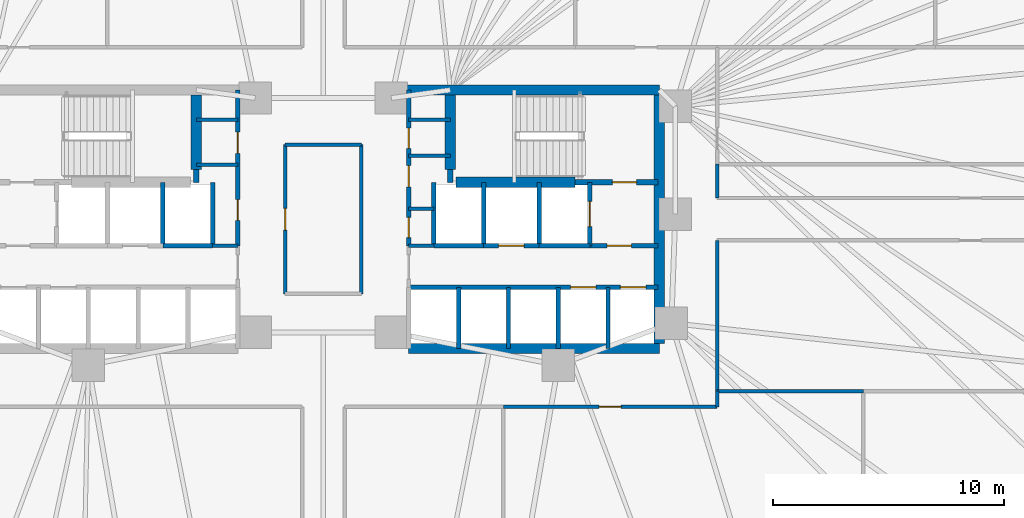
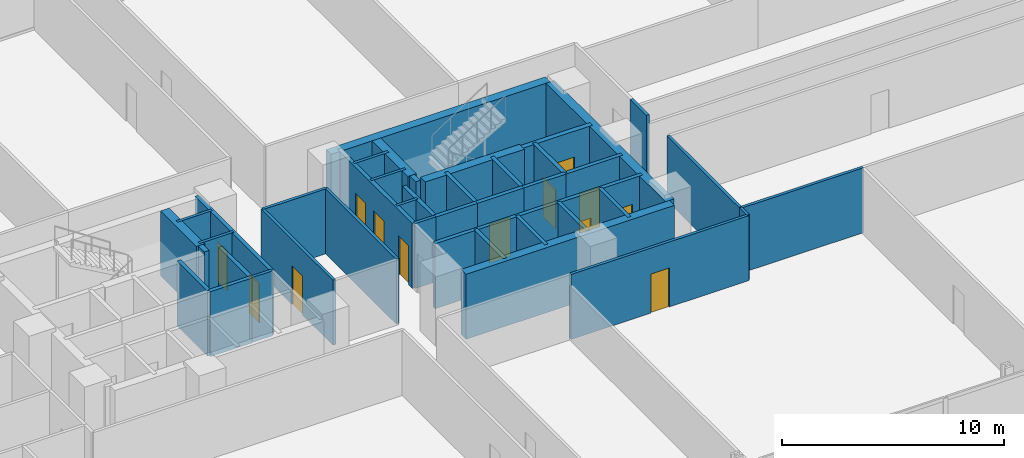
# One storey, part 13 of 17: 42 walls, 13 doors, 13 openings.
"""IFC4 building model written with IfcOpenShell, lengths in metres."""

from ifc_helpers import new_model, si_unit, direction, frame, frame_2d, origin, place, context, subcontext, project, spatial, rectangle, extrude, material, layer, layer_set, type_object, element, fill, save


model = new_model("IFC4")

# Units and contexts
model_context = context("Model", 3, precision=1e-05, world=origin(), true_north=direction((0.0, 1.0)))
body_context = subcontext(model_context, "Body", "Model", "MODEL_VIEW")
ifc_project = project(units=[si_unit("LENGTHUNIT", "METRE"), si_unit("AREAUNIT", "SQUARE_METRE"), si_unit("VOLUMEUNIT", "CUBIC_METRE"), si_unit("PLANEANGLEUNIT", "RADIAN"), si_unit("MASSUNIT", "GRAM", prefix="KILO")], contexts=[model_context])

# Site, building, storey
site_placement = place(None, origin())
site = spatial("IfcSite", under=ifc_project, at=site_placement, CompositionType="ELEMENT")
building_placement = place(site_placement, origin())
building = spatial("IfcBuilding", under=site, at=building_placement, Name="Menara Jurai Vektor", CompositionType="ELEMENT")
storey_placement = place(building_placement, frame((0.0, 0.0, 48.39990234375)))
storey = spatial("IfcBuildingStorey", under=building, at=storey_placement, Name="L11", CompositionType="ELEMENT", Elevation=48.39990234375)

# Wall
ifc_material_1 = material(Name="Concrete C40/50", Category="concrete")
ifc_layer_1 = layer(ifc_material_1, 0.25)
ifc_layer_set_1 = layer_set([ifc_layer_1], Name="Concrete C40/50")
wall_type_1 = type_object("IfcWallType", Name="INT-WALL-CORE-250", PredefinedType="STANDARD", material=ifc_layer_set_1)
wall_1_placement = place(storey_placement, frame((-5.5, 1.60009765625, 0.0), z_axis=(0.0, 0.0, 1.0), x_axis=(0.0, 1.0, 0.0)))
element("IfcWall", 1, at=wall_1_placement, inside=storey, type_object=wall_type_1, Name="Interior Wall IW-250 L11", PredefinedType="STANDARD", context=body_context, shape_type="SweptSolid", body=[
    extrude(rectangle(XDim=0.5498046875, YDim=0.25, at=frame_2d((0.27490234375, 0.0))), origin(), (0.0, 0.0, 1.0), 3.5751953125),
])

# Wall, opening, door
wall_2_placement = place(storey_placement, frame((10.89990234375, 1.60009765625, 0.0), z_axis=(0.0, 0.0, 1.0), x_axis=(1.0, 0.0, 0.0)))
wall_2 = element("IfcWall", 2, at=wall_2_placement, inside=storey, type_object=wall_type_1, Name="Interior Wall IW-250 L11", PredefinedType="STANDARD", context=body_context, shape_type="SweptSolid", body=[
    extrude(rectangle(XDim=3.60009765625, YDim=0.25, at=frame_2d((1.800048828125, 0.0))), origin(), (0.0, 0.0, 1.0), 3.5751953125),
])
opening_1_placement = place(wall_2_placement, frame((1.6201171875, 0.0, 0.0)))
opening_1 = element("IfcOpeningElement", 3, at=opening_1_placement, cuts=wall_2, Name="Opening D-L11-ST2", PredefinedType="OPENING", context=body_context, shape_type="SweptSolid", body=[
    extrude(rectangle(XDim=1.050048828125, YDim=2.14990234375, at=frame_2d((0.52490234375, 1.074951171875))), frame((0.0, 0.135009765625, 0.0), z_axis=(0.0, -1.0, 0.0), x_axis=(1.0, 0.0, 0.0)), (0.0, 0.0, 1.0), 0.27001953125),
])
ifc_material_2 = material(Name="Fire-Rated Steel Door", Category="steel")
door_type_1 = type_object("IfcDoorType", Name="DR-STAIR-1050", OperationType="NOTDEFINED", PredefinedType="DOOR", material=ifc_material_2)
door_1_placement = place(opening_1_placement, origin())
door_1 = element("IfcDoor", 4, at=door_1_placement, inside=storey, type_object=door_type_1, Name="Exit Stair ST2 Door L11", OperationType="SINGLE_SWING_LEFT", OverallHeight=2.14990234375, OverallWidth=1.050048828125, PredefinedType="DOOR", context=body_context, shape_type="SweptSolid", body=[
    extrude(rectangle(XDim=1.050048828125, YDim=2.14990234375, at=frame_2d((0.52490234375, 1.074951171875))), frame((0.0, 0.02490234375, 0.0), z_axis=(0.0, -1.0, 0.0), x_axis=(1.0, 0.0, 0.0)), (0.0, 0.0, 1.0), 0.050048828125),
])
fill(opening_1, door_1)

# Wall
wall_3_placement = place(storey_placement, frame((5.5, 1.60009765625, 0.0), z_axis=(0.0, 0.0, 1.0), x_axis=(0.0, 1.0, 0.0)))
element("IfcWall", 5, at=wall_3_placement, inside=storey, type_object=wall_type_1, Name="Interior Wall IW-250 L11", PredefinedType="STANDARD", context=body_context, shape_type="SweptSolid", body=[
    extrude(rectangle(XDim=0.5498046875, YDim=0.25, at=frame_2d((0.27490234375, 0.0))), origin(), (0.0, 0.0, 1.0), 3.5751953125),
])

# Wall, opening, door
wall_4_placement = place(storey_placement, frame((11.550048828125, -1.14990234375, 0.0), z_axis=(0.0, 0.0, 1.0), x_axis=(0.0, 1.0, 0.0)))
wall_4 = element("IfcWall", 6, at=wall_4_placement, inside=storey, type_object=wall_type_1, Name="Interior Wall IW-250 L11", PredefinedType="STANDARD", context=body_context, shape_type="SweptSolid", body=[
    extrude(rectangle(XDim=2.75, YDim=0.199951171875, at=frame_2d((1.375, 0.0))), origin(), (0.0, 0.0, 1.0), 3.5751953125),
])
opening_2_placement = place(wall_4_placement, frame((0.824951171875, 0.0, 0.0)))
opening_2 = element("IfcOpeningElement", 7, at=opening_2_placement, cuts=wall_4, Name="Opening LD-L11-FL2", PredefinedType="OPENING", context=body_context, shape_type="SweptSolid", body=[
    extrude(rectangle(XDim=1.10009765625, YDim=2.14990234375, at=frame_2d((0.550048828125, 1.074951171875))), frame((0.0, 0.10986328125, 0.0), z_axis=(0.0, -1.0, 0.0), x_axis=(1.0, 0.0, 0.0)), (0.0, 0.0, 1.0), 0.219970703125),
])
ifc_material_3 = material(Name="Stainless Steel Sliding Lift Landing Door", Category="steel")
door_type_2 = type_object("IfcDoorType", Name="DR-LIFT-FIRE-1100", OperationType="NOTDEFINED", PredefinedType="DOOR", material=ifc_material_3)
door_2_placement = place(opening_2_placement, origin())
door_2 = element("IfcDoor", 8, at=door_2_placement, inside=storey, type_object=door_type_2, Name="Lift Landing Door FL2 L11", OperationType="SLIDING_TO_RIGHT", OverallHeight=2.14990234375, OverallWidth=1.10009765625, PredefinedType="DOOR", context=body_context, shape_type="SweptSolid", body=[
    extrude(rectangle(XDim=1.10009765625, YDim=2.14990234375, at=frame_2d((0.550048828125, 1.074951171875))), frame((0.0, 0.02490234375, 0.0), z_axis=(0.0, -1.0, 0.0), x_axis=(1.0, 0.0, 0.0)), (0.0, 0.0, 1.0), 0.050048828125),
])
fill(opening_2, door_2)

# Wall
wall_5_placement = place(storey_placement, frame((9.35009765625, -1.14990234375, 0.0), z_axis=(0.0, 0.0, 1.0), x_axis=(0.0, 1.0, 0.0)))
element("IfcWall", 9, at=wall_5_placement, inside=storey, type_object=wall_type_1, Name="Interior Wall IW-250 L11", PredefinedType="STANDARD", context=body_context, shape_type="SweptSolid", body=[
    extrude(rectangle(XDim=2.75, YDim=0.199951171875, at=frame_2d((1.375, 0.0))), origin(), (0.0, 0.0, 1.0), 3.5751953125),
])

# Wall, opening, door
wall_6_placement = place(storey_placement, frame((11.550048828125, -1.14990234375, 0.0), z_axis=(0.0, 0.0, 1.0), x_axis=(1.0, 0.0, 0.0)))
wall_6 = element("IfcWall", 10, at=wall_6_placement, inside=storey, type_object=wall_type_1, Name="Interior Wall IW-250 L11", PredefinedType="STANDARD", context=body_context, shape_type="SweptSolid", body=[
    extrude(rectangle(XDim=2.949951171875, YDim=0.199951171875, at=frame_2d((1.47509765625, 0.0))), origin(), (0.0, 0.0, 1.0), 3.5751953125),
])
opening_3_placement = place(wall_6_placement, frame((0.75, 0.0, 0.0)))
opening_3 = element("IfcOpeningElement", 11, at=opening_3_placement, cuts=wall_6, Name="Opening D-L11-FFE", PredefinedType="OPENING", context=body_context, shape_type="SweptSolid", body=[
    extrude(rectangle(XDim=1.050048828125, YDim=2.179931640625, at=frame_2d((0.52490234375, 1.08984375))), frame((0.0, 0.10986328125, 0.0), z_axis=(0.0, -1.0, 0.0), x_axis=(1.0, 0.0, 0.0)), (0.0, 0.0, 1.0), 0.219970703125),
])
ifc_material_4 = material(Name="Fire-Rated Timber Door", Category="wood")
door_type_3 = type_object("IfcDoorType", Name="DR-LOBBY-1050", OperationType="NOTDEFINED", PredefinedType="DOOR", material=ifc_material_4)
door_3_placement = place(opening_3_placement, origin())
door_3 = element("IfcDoor", 12, at=door_3_placement, inside=storey, type_object=door_type_3, Name="Fire Lift Lobby Door E L11", OperationType="SINGLE_SWING_LEFT", OverallHeight=2.179931640625, OverallWidth=1.050048828125, PredefinedType="DOOR", context=body_context, shape_type="SweptSolid", body=[
    extrude(rectangle(XDim=1.050048828125, YDim=2.179931640625, at=frame_2d((0.52490234375, 1.08984375))), frame((0.0, 0.02490234375, 0.0), z_axis=(0.0, -1.0, 0.0), x_axis=(1.0, 0.0, 0.0)), (0.0, 0.0, 1.0), 0.050048828125),
])
fill(opening_3, door_3)

# Walls
wall_7_placement = place(storey_placement, frame((9.35009765625, -1.14990234375, 0.0), z_axis=(0.0, 0.0, 1.0), x_axis=(1.0, 0.0, 0.0)))
element("IfcWall", 13, at=wall_7_placement, inside=storey, type_object=wall_type_1, Name="Interior Wall IW-250 L11", PredefinedType="STANDARD", context=body_context, shape_type="SweptSolid", body=[
    extrude(rectangle(XDim=2.199951171875, YDim=0.199951171875, at=frame_2d((1.10009765625, 0.0))), origin(), (0.0, 0.0, 1.0), 3.5751953125),
])
ifc_material_5 = material(Name="Gypsum Fireboard Partition", Category="gypsum")
ifc_layer_2 = layer(ifc_material_5, 0.14990234375)
ifc_layer_set_2 = layer_set([ifc_layer_2], Name="Gypsum Fireboard Partition")
wall_type_2 = type_object("IfcWallType", Name="INT-WALL-CORR-150", PredefinedType="PARTITIONING", material=ifc_layer_set_2)
for number, where, z_axis, x_axis, name in (
    (14, (-4.7900390625, -1.14990234375, 0.0), (0.0, 0.0, 1.0), (1.0, 0.0, 0.0), "Interior Wall IW-150 L11"),
    (15, (3.699951171875, -1.14990234375, 0.0), (0.0, 0.0, 1.0), (1.0, 0.0, 0.0), "Interior Wall IW-150 L11"),
):
    element("IfcWall", number, at=place(storey_placement, frame(where, z_axis=z_axis, x_axis=x_axis)), inside=storey, type_object=wall_type_2, Name=name, PredefinedType="PARTITIONING", context=body_context, shape_type="SweptSolid", body=[
        extrude(rectangle(XDim=1.090087890625, YDim=0.14990234375, at=frame_2d((0.544921875, 0.0))), origin(), (0.0, 0.0, 1.0), 3.5751953125),
    ])
for number, where, z_axis, x_axis, name in (
    (16, (-5.5, 4.300048828125, 0.0), (0.0, 0.0, 1.0), (1.0, 0.0, 0.0), "Interior Wall IW-150 L11"),
    (17, (-5.5, 2.35009765625, 0.0), (0.0, 0.0, 1.0), (1.0, 0.0, 0.0), "Interior Wall IW-150 L11"),
    (18, (3.699951171875, 4.300048828125, 0.0), (0.0, 0.0, 1.0), (1.0, 0.0, 0.0), "Interior Wall IW-150 L11"),
):
    element("IfcWall", number, at=place(storey_placement, frame(where, z_axis=z_axis, x_axis=x_axis)), inside=storey, type_object=wall_type_2, Name=name, PredefinedType="PARTITIONING", context=body_context, shape_type="SweptSolid", body=[
        extrude(rectangle(XDim=1.800048828125, YDim=0.14990234375, at=frame_2d((0.89990234375, 0.0))), origin(), (0.0, 0.0, 1.0), 3.5751953125),
    ])
wall_8_placement = place(storey_placement, frame((3.699951171875, 0.449951171875, 0.0), z_axis=(0.0, 0.0, 1.0), x_axis=(1.0, 0.0, 0.0)))
element("IfcWall", 19, at=wall_8_placement, inside=storey, type_object=wall_type_2, Name="Interior Wall IW-150 L11", PredefinedType="PARTITIONING", context=body_context, shape_type="SweptSolid", body=[
    extrude(rectangle(XDim=1.090087890625, YDim=0.14990234375, at=frame_2d((0.544921875, 0.0))), origin(), (0.0, 0.0, 1.0), 3.5751953125),
])
wall_9_placement = place(storey_placement, frame((3.699951171875, 2.75, 0.0), z_axis=(0.0, 0.0, 1.0), x_axis=(1.0, 0.0, 0.0)))
element("IfcWall", 20, at=wall_9_placement, inside=storey, type_object=wall_type_2, Name="Interior Wall IW-150 L11", PredefinedType="PARTITIONING", context=body_context, shape_type="SweptSolid", body=[
    extrude(rectangle(XDim=1.800048828125, YDim=0.14990234375, at=frame_2d((0.89990234375, 0.0))), origin(), (0.0, 0.0, 1.0), 3.5751953125),
])

# Wall, opening, door
wall_10_placement = place(storey_placement, frame((-1.64990234375, -3.22998046875, 0.0), z_axis=(0.0, 0.0, 1.0), x_axis=(0.0, 1.0, 0.0)))
wall_10 = element("IfcWall", 21, at=wall_10_placement, inside=storey, type_object=wall_type_2, Name="Interior Wall IW-150 L11", PredefinedType="PARTITIONING", context=body_context, shape_type="SweptSolid", body=[
    extrude(rectangle(XDim=6.4599609375, YDim=0.14990234375, at=frame_2d((3.22998046875, 0.0))), origin(), (0.0, 0.0, 1.0), 3.5751953125),
])
opening_4_placement = place(wall_10_placement, frame((2.7548828125, 0.0, 0.0)))
opening_4 = element("IfcOpeningElement", 22, at=opening_4_placement, cuts=wall_10, Name="Opening D11-06", PredefinedType="OPENING", context=body_context, shape_type="SweptSolid", body=[
    extrude(rectangle(XDim=0.949951171875, YDim=2.14990234375, at=frame_2d((0.47509765625, 1.074951171875))), frame((0.0, 0.0849609375, 0.0), z_axis=(0.0, -1.0, 0.0), x_axis=(1.0, 0.0, 0.0)), (0.0, 0.0, 1.0), 0.169921875),
])
ifc_material_6 = material(Name="Solid Core Timber Fire Door", Category="wood")
door_type_4 = type_object("IfcDoorType", Name="DR-ENTRY-950", OperationType="NOTDEFINED", PredefinedType="DOOR", material=ifc_material_6)
door_4_placement = place(opening_4_placement, origin())
door_4 = element("IfcDoor", 23, at=door_4_placement, inside=storey, type_object=door_type_4, Name="Interior Door D11-06", OperationType="SINGLE_SWING_LEFT", OverallHeight=2.14990234375, OverallWidth=0.949951171875, PredefinedType="DOOR", context=body_context, shape_type="SweptSolid", body=[
    extrude(rectangle(XDim=0.949951171875, YDim=2.14990234375, at=frame_2d((0.47509765625, 1.074951171875))), frame((0.0, 0.02490234375, 0.0), z_axis=(0.0, -1.0, 0.0), x_axis=(1.0, 0.0, 0.0)), (0.0, 0.0, 1.0), 0.050048828125),
])
fill(opening_4, door_4)

# Walls
wall_11_placement = place(storey_placement, frame((-1.64990234375, 3.22998046875, 0.0), z_axis=(0.0, 0.0, 1.0), x_axis=(1.0, 0.0, 0.0)))
element("IfcWall", 24, at=wall_11_placement, inside=storey, type_object=wall_type_2, Name="Interior Wall IW-150 L11", PredefinedType="PARTITIONING", context=body_context, shape_type="SweptSolid", body=[
    extrude(rectangle(XDim=3.2998046875, YDim=0.14990234375, at=frame_2d((1.64990234375, 0.0))), origin(), (0.0, 0.0, 1.0), 3.5751953125),
])
wall_12_placement = place(storey_placement, frame((1.64990234375, -3.22998046875, 0.0), z_axis=(0.0, 0.0, 1.0), x_axis=(0.0, 1.0, 0.0)))
element("IfcWall", 25, at=wall_12_placement, inside=storey, type_object=wall_type_2, Name="Interior Wall IW-150 L11", PredefinedType="PARTITIONING", context=body_context, shape_type="SweptSolid", body=[
    extrude(rectangle(XDim=6.4599609375, YDim=0.14990234375, at=frame_2d((3.22998046875, 0.0))), origin(), (0.0, 0.0, 1.0), 3.5751953125),
])

# Wall, opening, door
wall_13_placement = place(storey_placement, frame((7.800048828125, -8.1298828125, 0.0), z_axis=(0.0, 0.0, 1.0), x_axis=(1.0, 0.0, 0.0)))
wall_13 = element("IfcWall", 26, at=wall_13_placement, inside=storey, type_object=wall_type_2, Name="Interior Wall IW-150 L11", PredefinedType="PARTITIONING", context=body_context, shape_type="SweptSolid", body=[
    extrude(rectangle(XDim=9.259033203125, YDim=0.14990234375, at=frame_2d((4.62939453125, 0.0))), origin(), (0.0, 0.0, 1.0), 3.5751953125),
])
opening_5_placement = place(wall_13_placement, frame((4.154541015625, 0.0, 0.0)))
opening_5 = element("IfcOpeningElement", 27, at=opening_5_placement, cuts=wall_13, Name="Opening D11-13", PredefinedType="OPENING", context=body_context, shape_type="SweptSolid", body=[
    extrude(rectangle(XDim=0.949951171875, YDim=2.14990234375, at=frame_2d((0.47509765625, 1.074951171875))), frame((0.0, 0.0849609375, 0.0), z_axis=(0.0, -1.0, 0.0), x_axis=(1.0, 0.0, 0.0)), (0.0, 0.0, 1.0), 0.169921875),
])
door_5_placement = place(opening_5_placement, origin())
door_5 = element("IfcDoor", 28, at=door_5_placement, inside=storey, type_object=door_type_4, Name="Interior Door D11-13", OperationType="SINGLE_SWING_RIGHT", OverallHeight=2.14990234375, OverallWidth=0.949951171875, PredefinedType="DOOR", context=body_context, shape_type="SweptSolid", body=[
    extrude(rectangle(XDim=0.949951171875, YDim=2.14990234375, at=frame_2d((0.47509765625, 1.074951171875))), frame((0.0, 0.02490234375, 0.0), z_axis=(0.0, -1.0, 0.0), x_axis=(1.0, 0.0, 0.0)), (0.0, 0.0, 1.0), 0.050048828125),
])
fill(opening_5, door_5)

# Walls
wall_14_placement = place(storey_placement, frame((17.05908203125, -8.1298828125, 0.0), z_axis=(0.0, 0.0, 1.0), x_axis=(0.0, 1.0, 0.0)))
element("IfcWall", 29, at=wall_14_placement, inside=storey, type_object=wall_type_2, Name="Interior Wall IW-150 L11", PredefinedType="PARTITIONING", context=body_context, shape_type="SweptSolid", body=[
    extrude(rectangle(XDim=0.679931640625, YDim=0.14990234375, at=frame_2d((0.33984375, 0.0))), origin(), (0.0, 0.0, 1.0), 3.5751953125),
])
wall_15_placement = place(storey_placement, frame((17.05908203125, -7.449951171875, 0.0), z_axis=(0.0, 0.0, 1.0), x_axis=(0.0, 1.0, 0.0)))
element("IfcWall", 30, at=wall_15_placement, inside=storey, type_object=wall_type_2, Name="Interior Wall IW-150 L11", PredefinedType="PARTITIONING", context=body_context, shape_type="SweptSolid", body=[
    extrude(rectangle(XDim=6.530029296875, YDim=0.14990234375, at=frame_2d((3.26513671875, 0.0))), origin(), (0.0, 0.0, 1.0), 3.5751953125),
])
wall_16_placement = place(storey_placement, frame((17.05908203125, 0.919921875, 0.0), z_axis=(0.0, 0.0, 1.0), x_axis=(0.0, 1.0, 0.0)))
element("IfcWall", 31, at=wall_16_placement, inside=storey, type_object=wall_type_2, Name="Interior Wall IW-150 L11", PredefinedType="PARTITIONING", context=body_context, shape_type="SweptSolid", body=[
    extrude(rectangle(XDim=1.464111328125, YDim=0.14990234375, at=frame_2d((0.73193359375, 0.0))), origin(), (0.0, 0.0, 1.0), 3.5751953125),
])
wall_17_placement = place(storey_placement, frame((17.05908203125, -7.449951171875, 0.0), z_axis=(0.0, 0.0, 1.0), x_axis=(1.0, 0.0, 0.0)))
element("IfcWall", 32, at=wall_17_placement, inside=storey, type_object=wall_type_2, Name="Interior Wall IW-150 L11", PredefinedType="PARTITIONING", context=body_context, shape_type="SweptSolid", body=[
    extrude(rectangle(XDim=6.3408203125, YDim=0.14990234375, at=frame_2d((3.17041015625, 0.0))), origin(), (0.0, 0.0, 1.0), 3.5751953125),
])

# Wall, openings, doors
ifc_layer_3 = layer(ifc_material_1, 0.199951171875)
ifc_layer_set_3 = layer_set([ifc_layer_3], Name="Concrete C40/50")
wall_type_3 = type_object("IfcWallType", Name="INT-WALL-SHAFT-200", PredefinedType="STANDARD", material=ifc_layer_set_3)
wall_18_placement = place(storey_placement, frame((-3.699951171875, -1.14990234375, 0.0), z_axis=(0.0, 0.0, 1.0), x_axis=(0.0, 1.0, 0.0)))
wall_18 = element("IfcWall", 33, at=wall_18_placement, inside=storey, type_object=wall_type_3, Name="Interior Wall IW-200 L11", PredefinedType="STANDARD", context=body_context, shape_type="SweptSolid", body=[
    extrude(rectangle(XDim=6.75, YDim=0.199951171875, at=frame_2d((3.375, 0.0))), origin(), (0.0, 0.0, 1.0), 3.5751953125),
])
opening_6_placement = place(wall_18_placement, frame((1.10009765625, 0.0, 0.0)))
opening_6 = element("IfcOpeningElement", 34, at=opening_6_placement, cuts=wall_18, Name="Opening D11-01", PredefinedType="OPENING", context=body_context, shape_type="SweptSolid", body=[
    extrude(rectangle(XDim=0.89990234375, YDim=2.14990234375, at=frame_2d((0.449951171875, 1.074951171875))), frame((0.0, 0.10986328125, 0.0), z_axis=(0.0, -1.0, 0.0), x_axis=(1.0, 0.0, 0.0)), (0.0, 0.0, 1.0), 0.219970703125),
])
opening_7_placement = place(wall_18_placement, frame((4.0, 0.0, 0.0)))
opening_7 = element("IfcOpeningElement", 35, at=opening_7_placement, cuts=wall_18, Name="Opening D11-02", PredefinedType="OPENING", context=body_context, shape_type="SweptSolid", body=[
    extrude(rectangle(XDim=0.919921875, YDim=2.14990234375, at=frame_2d((0.4599609375, 1.074951171875))), frame((0.0, 0.10986328125, 0.0), z_axis=(0.0, -1.0, 0.0), x_axis=(1.0, 0.0, 0.0)), (0.0, 0.0, 1.0), 0.219970703125),
])
door_6_placement = place(opening_6_placement, origin())
door_6 = element("IfcDoor", 36, at=door_6_placement, inside=storey, type_object=door_type_4, Name="Interior Door D11-01", OperationType="SINGLE_SWING_LEFT", OverallHeight=2.14990234375, OverallWidth=0.89990234375, PredefinedType="DOOR", context=body_context, shape_type="SweptSolid", body=[
    extrude(rectangle(XDim=0.89990234375, YDim=2.14990234375, at=frame_2d((0.449951171875, 1.074951171875))), frame((0.0, 0.02490234375, 0.0), z_axis=(0.0, -1.0, 0.0), x_axis=(1.0, 0.0, 0.0)), (0.0, 0.0, 1.0), 0.050048828125),
])
fill(opening_6, door_6)
door_7_placement = place(opening_7_placement, origin())
door_7 = element("IfcDoor", 37, at=door_7_placement, inside=storey, type_object=door_type_4, Name="Interior Door D11-02", OperationType="SINGLE_SWING_LEFT", OverallHeight=2.14990234375, OverallWidth=0.919921875, PredefinedType="DOOR", context=body_context, shape_type="SweptSolid", body=[
    extrude(rectangle(XDim=0.919921875, YDim=2.14990234375, at=frame_2d((0.4599609375, 1.074951171875))), frame((0.0, 0.02490234375, 0.0), z_axis=(0.0, -1.0, 0.0), x_axis=(1.0, 0.0, 0.0)), (0.0, 0.0, 1.0), 0.050048828125),
])
fill(opening_7, door_7)

# Walls
for number, where, z_axis, x_axis, name in (
    (38, (-6.949951171875, -1.14990234375, 0.0), (0.0, 0.0, 1.0), (0.0, 1.0, 0.0), "Interior Wall IW-200 L11"),
    (39, (-4.7900390625, -1.14990234375, 0.0), (0.0, 0.0, 1.0), (0.0, 1.0, 0.0), "Interior Wall IW-200 L11"),
):
    element("IfcWall", number, at=place(storey_placement, frame(where, z_axis=z_axis, x_axis=x_axis)), inside=storey, type_object=wall_type_3, Name=name, PredefinedType="STANDARD", context=body_context, shape_type="SweptSolid", body=[
        extrude(rectangle(XDim=2.75, YDim=0.199951171875, at=frame_2d((1.375, 0.0))), origin(), (0.0, 0.0, 1.0), 3.5751953125),
    ])
wall_19_placement = place(storey_placement, frame((-6.949951171875, -1.14990234375, 0.0), z_axis=(0.0, 0.0, 1.0), x_axis=(1.0, 0.0, 0.0)))
element("IfcWall", 40, at=wall_19_placement, inside=storey, type_object=wall_type_3, Name="Interior Wall IW-200 L11", PredefinedType="STANDARD", context=body_context, shape_type="SweptSolid", body=[
    extrude(rectangle(XDim=2.159912109375, YDim=0.199951171875, at=frame_2d((1.080078125, 0.0))), origin(), (0.0, 0.0, 1.0), 3.5751953125),
])

# Wall, openings, doors
wall_20_placement = place(storey_placement, frame((3.699951171875, -1.14990234375, 0.0), z_axis=(0.0, 0.0, 1.0), x_axis=(0.0, 1.0, 0.0)))
wall_20 = element("IfcWall", 41, at=wall_20_placement, inside=storey, type_object=wall_type_3, Name="Interior Wall IW-200 L11", PredefinedType="STANDARD", context=body_context, shape_type="SweptSolid", body=[
    extrude(rectangle(XDim=6.75, YDim=0.199951171875, at=frame_2d((3.375, 0.0))), origin(), (0.0, 0.0, 1.0), 3.5751953125),
])
opening_8_placement = place(wall_20_placement, frame((0.35009765625, 0.0, 0.0)))
opening_8 = element("IfcOpeningElement", 42, at=opening_8_placement, cuts=wall_20, Name="Opening D11-03", PredefinedType="OPENING", context=body_context, shape_type="SweptSolid", body=[
    extrude(rectangle(XDim=0.8798828125, YDim=2.14990234375, at=frame_2d((0.43994140625, 1.074951171875))), frame((0.0, 0.10986328125, 0.0), z_axis=(0.0, -1.0, 0.0), x_axis=(1.0, 0.0, 0.0)), (0.0, 0.0, 1.0), 0.219970703125),
])
opening_9_placement = place(wall_20_placement, frame((2.550048828125, 0.0, 0.0)))
opening_9 = element("IfcOpeningElement", 43, at=opening_9_placement, cuts=wall_20, Name="Opening D11-04", PredefinedType="OPENING", context=body_context, shape_type="SweptSolid", body=[
    extrude(rectangle(XDim=0.919921875, YDim=2.14990234375, at=frame_2d((0.4599609375, 1.074951171875))), frame((0.0, 0.10986328125, 0.0), z_axis=(0.0, -1.0, 0.0), x_axis=(1.0, 0.0, 0.0)), (0.0, 0.0, 1.0), 0.219970703125),
])
opening_10_placement = place(wall_20_placement, frame((4.219970703125, 0.0, 0.0)))
opening_10 = element("IfcOpeningElement", 44, at=opening_10_placement, cuts=wall_20, Name="Opening D11-05", PredefinedType="OPENING", context=body_context, shape_type="SweptSolid", body=[
    extrude(rectangle(XDim=0.8798828125, YDim=2.14990234375, at=frame_2d((0.43994140625, 1.074951171875))), frame((0.0, 0.10986328125, 0.0), z_axis=(0.0, -1.0, 0.0), x_axis=(1.0, 0.0, 0.0)), (0.0, 0.0, 1.0), 0.219970703125),
])
door_8_placement = place(opening_8_placement, origin())
door_8 = element("IfcDoor", 45, at=door_8_placement, inside=storey, type_object=door_type_4, Name="Interior Door D11-03", OperationType="SINGLE_SWING_RIGHT", OverallHeight=2.14990234375, OverallWidth=0.8798828125, PredefinedType="DOOR", context=body_context, shape_type="SweptSolid", body=[
    extrude(rectangle(XDim=0.8798828125, YDim=2.14990234375, at=frame_2d((0.43994140625, 1.074951171875))), frame((0.0, 0.02490234375, 0.0), z_axis=(0.0, -1.0, 0.0), x_axis=(1.0, 0.0, 0.0)), (0.0, 0.0, 1.0), 0.050048828125),
])
fill(opening_8, door_8)
door_9_placement = place(opening_9_placement, origin())
door_9 = element("IfcDoor", 46, at=door_9_placement, inside=storey, type_object=door_type_4, Name="Interior Door D11-04", OperationType="SINGLE_SWING_RIGHT", OverallHeight=2.14990234375, OverallWidth=0.919921875, PredefinedType="DOOR", context=body_context, shape_type="SweptSolid", body=[
    extrude(rectangle(XDim=0.919921875, YDim=2.14990234375, at=frame_2d((0.4599609375, 1.074951171875))), frame((0.0, 0.02490234375, 0.0), z_axis=(0.0, -1.0, 0.0), x_axis=(1.0, 0.0, 0.0)), (0.0, 0.0, 1.0), 0.050048828125),
])
fill(opening_9, door_9)
door_10_placement = place(opening_10_placement, origin())
door_10 = element("IfcDoor", 47, at=door_10_placement, inside=storey, type_object=door_type_4, Name="Interior Door D11-05", OperationType="SINGLE_SWING_RIGHT", OverallHeight=2.14990234375, OverallWidth=0.8798828125, PredefinedType="DOOR", context=body_context, shape_type="SweptSolid", body=[
    extrude(rectangle(XDim=0.8798828125, YDim=2.14990234375, at=frame_2d((0.43994140625, 1.074951171875))), frame((0.0, 0.02490234375, 0.0), z_axis=(0.0, -1.0, 0.0), x_axis=(1.0, 0.0, 0.0)), (0.0, 0.0, 1.0), 0.050048828125),
])
fill(opening_10, door_10)

# Wall
wall_21_placement = place(storey_placement, frame((6.949951171875, -1.14990234375, 0.0), z_axis=(0.0, 0.0, 1.0), x_axis=(0.0, 1.0, 0.0)))
element("IfcWall", 48, at=wall_21_placement, inside=storey, type_object=wall_type_3, Name="Interior Wall IW-200 L11", PredefinedType="STANDARD", context=body_context, shape_type="SweptSolid", body=[
    extrude(rectangle(XDim=2.75, YDim=0.199951171875, at=frame_2d((1.375, 0.0))), origin(), (0.0, 0.0, 1.0), 3.5751953125),
])

# Wall, opening, door
wall_22_placement = place(storey_placement, frame((6.949951171875, -1.14990234375, 0.0), z_axis=(0.0, 0.0, 1.0), x_axis=(1.0, 0.0, 0.0)))
wall_22 = element("IfcWall", 49, at=wall_22_placement, inside=storey, type_object=wall_type_3, Name="Interior Wall IW-200 L11", PredefinedType="STANDARD", context=body_context, shape_type="SweptSolid", body=[
    extrude(rectangle(XDim=2.400146484375, YDim=0.199951171875, at=frame_2d((1.2001953125, 0.0))), origin(), (0.0, 0.0, 1.0), 3.5751953125),
])
opening_11_placement = place(wall_22_placement, frame((0.64990234375, 0.0, 0.0)))
opening_11 = element("IfcOpeningElement", 50, at=opening_11_placement, cuts=wall_22, Name="Opening LD-L11-SVL2", PredefinedType="OPENING", context=body_context, shape_type="SweptSolid", body=[
    extrude(rectangle(XDim=1.10009765625, YDim=2.14990234375, at=frame_2d((0.550048828125, 1.074951171875))), frame((0.0, 0.10986328125, 0.0), z_axis=(0.0, -1.0, 0.0), x_axis=(1.0, 0.0, 0.0)), (0.0, 0.0, 1.0), 0.219970703125),
])
ifc_material_7 = material(Name="Anodised Stainless Sliding Lift Landing Door", Category="steel")
door_type_5 = type_object("IfcDoorType", Name="DR-LIFT-PASS-1100", OperationType="NOTDEFINED", PredefinedType="DOOR", material=ifc_material_7)
door_11_placement = place(opening_11_placement, origin())
door_11 = element("IfcDoor", 51, at=door_11_placement, inside=storey, type_object=door_type_5, Name="Lift Landing Door SVL2 L11", OperationType="SLIDING_TO_RIGHT", OverallHeight=2.14990234375, OverallWidth=1.10009765625, PredefinedType="DOOR", context=body_context, shape_type="SweptSolid", body=[
    extrude(rectangle(XDim=1.10009765625, YDim=2.14990234375, at=frame_2d((0.550048828125, 1.074951171875))), frame((0.0, 0.02490234375, 0.0), z_axis=(0.0, -1.0, 0.0), x_axis=(1.0, 0.0, 0.0)), (0.0, 0.0, 1.0), 0.050048828125),
])
fill(opening_11, door_11)

# Walls
wall_23_placement = place(storey_placement, frame((4.7900390625, -1.14990234375, 0.0), z_axis=(0.0, 0.0, 1.0), x_axis=(0.0, 1.0, 0.0)))
element("IfcWall", 52, at=wall_23_placement, inside=storey, type_object=wall_type_3, Name="Interior Wall IW-200 L11", PredefinedType="STANDARD", context=body_context, shape_type="SweptSolid", body=[
    extrude(rectangle(XDim=2.75, YDim=0.199951171875, at=frame_2d((1.375, 0.0))), origin(), (0.0, 0.0, 1.0), 3.5751953125),
])
wall_24_placement = place(storey_placement, frame((4.7900390625, -1.14990234375, 0.0), z_axis=(0.0, 0.0, 1.0), x_axis=(1.0, 0.0, 0.0)))
element("IfcWall", 53, at=wall_24_placement, inside=storey, type_object=wall_type_3, Name="Interior Wall IW-200 L11", PredefinedType="STANDARD", context=body_context, shape_type="SweptSolid", body=[
    extrude(rectangle(XDim=2.159912109375, YDim=0.199951171875, at=frame_2d((1.080078125, 0.0))), origin(), (0.0, 0.0, 1.0), 3.5751953125),
])

# Wall, openings, doors
wall_25_placement = place(storey_placement, frame((3.699951171875, -2.949951171875, 0.0), z_axis=(0.0, 0.0, 1.0), x_axis=(1.0, 0.0, 0.0)))
wall_25 = element("IfcWall", 54, at=wall_25_placement, inside=storey, type_object=wall_type_3, Name="Interior Wall IW-200 L11", PredefinedType="STANDARD", context=body_context, shape_type="SweptSolid", body=[
    extrude(rectangle(XDim=10.800048828125, YDim=0.199951171875, at=frame_2d((5.39990234375, 0.0))), origin(), (0.0, 0.0, 1.0), 3.5751953125),
])
opening_12_placement = place(wall_25_placement, frame((7.010009765625, 0.0, 0.0)))
opening_12 = element("IfcOpeningElement", 55, at=opening_12_placement, cuts=wall_25, Name="Opening LD-L11-PL3", PredefinedType="OPENING", context=body_context, shape_type="SweptSolid", body=[
    extrude(rectangle(XDim=1.10009765625, YDim=2.14990234375, at=frame_2d((0.550048828125, 1.074951171875))), frame((0.0, 0.10986328125, 0.0), z_axis=(0.0, -1.0, 0.0), x_axis=(1.0, 0.0, 0.0)), (0.0, 0.0, 1.0), 0.219970703125),
])
opening_13_placement = place(wall_25_placement, frame((9.169921875, 0.0, 0.0)))
opening_13 = element("IfcOpeningElement", 56, at=opening_13_placement, cuts=wall_25, Name="Opening LD-L11-PL4", PredefinedType="OPENING", context=body_context, shape_type="SweptSolid", body=[
    extrude(rectangle(XDim=1.10009765625, YDim=2.14990234375, at=frame_2d((0.550048828125, 1.074951171875))), frame((0.0, 0.10986328125, 0.0), z_axis=(0.0, -1.0, 0.0), x_axis=(1.0, 0.0, 0.0)), (0.0, 0.0, 1.0), 0.219970703125),
])
door_12_placement = place(opening_12_placement, origin())
door_12 = element("IfcDoor", 57, at=door_12_placement, inside=storey, type_object=door_type_5, Name="Lift Landing Door PL3 L11", OperationType="SLIDING_TO_RIGHT", OverallHeight=2.14990234375, OverallWidth=1.10009765625, PredefinedType="DOOR", context=body_context, shape_type="SweptSolid", body=[
    extrude(rectangle(XDim=1.10009765625, YDim=2.14990234375, at=frame_2d((0.550048828125, 1.074951171875))), frame((0.0, 0.02490234375, 0.0), z_axis=(0.0, -1.0, 0.0), x_axis=(1.0, 0.0, 0.0)), (0.0, 0.0, 1.0), 0.050048828125),
])
fill(opening_12, door_12)
door_13_placement = place(opening_13_placement, origin())
door_13 = element("IfcDoor", 58, at=door_13_placement, inside=storey, type_object=door_type_5, Name="Lift Landing Door PL4 L11", OperationType="SLIDING_TO_LEFT", OverallHeight=2.14990234375, OverallWidth=1.10009765625, PredefinedType="DOOR", context=body_context, shape_type="SweptSolid", body=[
    extrude(rectangle(XDim=1.10009765625, YDim=2.14990234375, at=frame_2d((0.550048828125, 1.074951171875))), frame((0.0, 0.02490234375, 0.0), z_axis=(0.0, -1.0, 0.0), x_axis=(1.0, 0.0, 0.0)), (0.0, 0.0, 1.0), 0.050048828125),
])
fill(opening_13, door_13)

# Walls
wall_26_placement = place(storey_placement, frame((5.860107421875, -5.60009765625, 0.0), z_axis=(0.0, 0.0, 1.0), x_axis=(0.0, 1.0, 0.0)))
element("IfcWall", 59, at=wall_26_placement, inside=storey, type_object=wall_type_3, Name="Interior Wall IW-200 L11", PredefinedType="STANDARD", context=body_context, shape_type="SweptSolid", body=[
    extrude(rectangle(XDim=2.650146484375, YDim=0.199951171875, at=frame_2d((1.3251953125, 0.0))), origin(), (0.0, 0.0, 1.0), 3.5751953125),
])
for number, where, z_axis, x_axis, name in (
    (60, (12.340087890625, -5.60009765625, 0.0), (0.0, 0.0, 1.0), (0.0, 1.0, 0.0), "Interior Wall IW-200 L11"),
    (61, (10.179931640625, -5.60009765625, 0.0), (0.0, 0.0, 1.0), (0.0, 1.0, 0.0), "Interior Wall IW-200 L11"),
    (62, (8.02001953125, -5.60009765625, 0.0), (0.0, 0.0, 1.0), (0.0, 1.0, 0.0), "Interior Wall IW-200 L11"),
):
    element("IfcWall", number, at=place(storey_placement, frame(where, z_axis=z_axis, x_axis=x_axis)), inside=storey, type_object=wall_type_3, Name=name, PredefinedType="STANDARD", context=body_context, shape_type="SweptSolid", body=[
        extrude(rectangle(XDim=2.650146484375, YDim=0.179931640625, at=frame_2d((1.3251953125, 0.0))), origin(), (0.0, 0.0, 1.0), 3.5751953125),
    ])
ifc_material_8 = material(Name="Concrete C60/75", Category="concrete")
ifc_layer_4 = layer(ifc_material_8, 0.449951171875)
ifc_layer_set_4 = layer_set([ifc_layer_4], Name="Concrete C60/75")
wall_type_4 = type_object("IfcWallType", Name="STR-WALL-CORE450", PredefinedType="SHEAR", material=ifc_layer_set_4)
wall_27_placement = place(storey_placement, frame((-5.5, 2.14990234375, 0.0), z_axis=(0.0, 0.0, 1.0), x_axis=(0.0, 1.0, 0.0)))
element("IfcWall", 63, at=wall_27_placement, inside=storey, type_object=wall_type_4, Name="Core Shear Wall CW-W-ST L11", PredefinedType="SHEAR", context=body_context, shape_type="SweptSolid", body=[
    extrude(rectangle(XDim=3.22509765625, YDim=0.449951171875, at=frame_2d((1.612548828125, 0.0))), origin(), (0.0, 0.0, 1.0), 3.5751953125),
])
wall_28_placement = place(storey_placement, frame((3.14990234375, 5.60009765625, 0.0), z_axis=(0.0, 0.0, 1.0), x_axis=(1.0, 0.0, 0.0)))
element("IfcWall", 64, at=wall_28_placement, inside=storey, type_object=wall_type_4, Name="Core Shear Wall CW-E-N L11", PredefinedType="SHEAR", context=body_context, shape_type="SweptSolid", body=[
    extrude(rectangle(XDim=11.41015625, YDim=0.449951171875, at=frame_2d((5.705078125, 0.0))), origin(), (0.0, 0.0, 1.0), 3.5751953125),
])
wall_29_placement = place(storey_placement, frame((3.699951171875, -5.60009765625, 0.0), z_axis=(0.0, 0.0, 1.0), x_axis=(1.0, 0.0, 0.0)))
element("IfcWall", 65, at=wall_29_placement, inside=storey, type_object=wall_type_4, Name="Core Shear Wall CW-E-S L11", PredefinedType="SHEAR", context=body_context, shape_type="SweptSolid", body=[
    extrude(rectangle(XDim=10.860107421875, YDim=0.449951171875, at=frame_2d((5.43017578125, 0.0))), origin(), (0.0, 0.0, 1.0), 3.5751953125),
])
wall_30_placement = place(storey_placement, frame((14.56005859375, -5.375, 0.0), z_axis=(0.0, 0.0, 1.0), x_axis=(0.0, 1.0, 0.0)))
element("IfcWall", 66, at=wall_30_placement, inside=storey, type_object=wall_type_4, Name="Core Shear Wall CW-E-E L11", PredefinedType="SHEAR", context=body_context, shape_type="SweptSolid", body=[
    extrude(rectangle(XDim=10.75, YDim=0.449951171875, at=frame_2d((5.375, 0.0))), origin(), (0.0, 0.0, 1.0), 3.5751953125),
])
wall_31_placement = place(storey_placement, frame((5.5, 2.14990234375, 0.0), z_axis=(0.0, 0.0, 1.0), x_axis=(0.0, 1.0, 0.0)))
element("IfcWall", 67, at=wall_31_placement, inside=storey, type_object=wall_type_4, Name="Core Shear Wall CW-E-ST L11", PredefinedType="SHEAR", context=body_context, shape_type="SweptSolid", body=[
    extrude(rectangle(XDim=3.22509765625, YDim=0.449951171875, at=frame_2d((1.612548828125, 0.0))), origin(), (0.0, 0.0, 1.0), 3.5751953125),
])
wall_32_placement = place(storey_placement, frame((5.75, 1.60009765625, 0.0), z_axis=(0.0, 0.0, 1.0), x_axis=(1.0, 0.0, 0.0)))
element("IfcWall", 68, at=wall_32_placement, inside=storey, type_object=wall_type_4, Name="Core Shear Wall CW-E-STS L11", PredefinedType="SHEAR", context=body_context, shape_type="SweptSolid", body=[
    extrude(rectangle(XDim=5.14990234375, YDim=0.449951171875, at=frame_2d((2.574951171875, 0.0))), origin(), (0.0, 0.0, 1.0), 3.5751953125),
])

save(model, "model.ifc")
